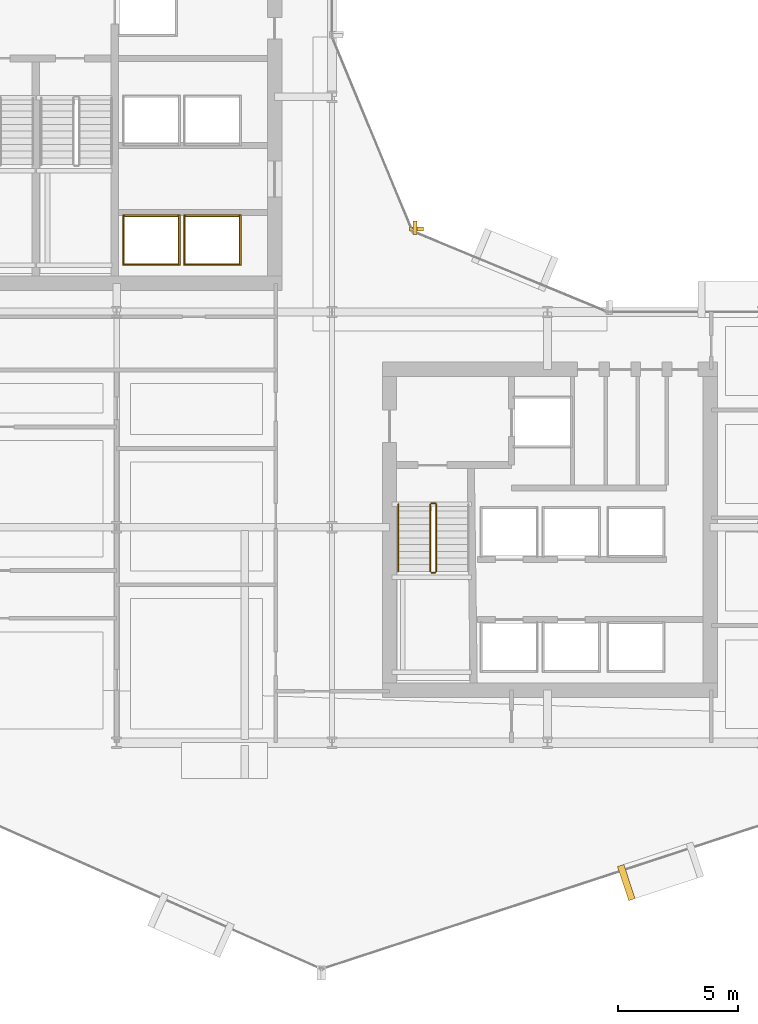
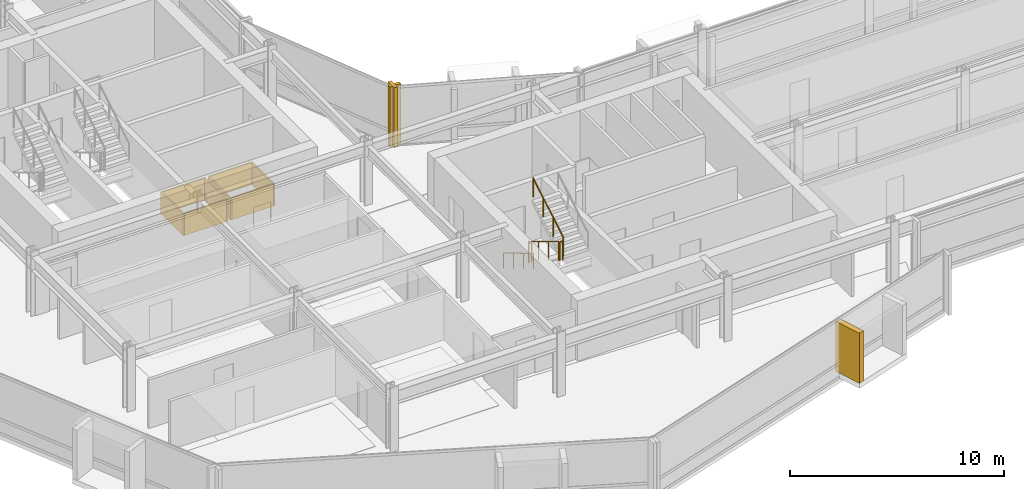
# One storey, part 31 of 34: 11 coverings, 5 railings.
"""IFC4 building model written with IfcOpenShell, lengths in metres."""

from ifc_helpers import new_model, si_unit, direction, frame, origin, origin_2d, place, context, subcontext, project, spatial, rectangle, circle, extrude, material, layer, layer_set, type_object, element, save


model = new_model("IFC4")

# Units and contexts
model_context = context("Model", 3, precision=1e-05, world=origin(), true_north=direction((0.0, 1.0)))
body_context = subcontext(model_context, "Body", "Model", "MODEL_VIEW")
ifc_project = project(units=[si_unit("LENGTHUNIT", "METRE"), si_unit("AREAUNIT", "SQUARE_METRE"), si_unit("VOLUMEUNIT", "CUBIC_METRE"), si_unit("PLANEANGLEUNIT", "RADIAN"), si_unit("MASSUNIT", "GRAM", prefix="KILO")], contexts=[model_context])

# Site, building, storey
site_placement = place(None, origin())
site = spatial("IfcSite", under=ifc_project, at=site_placement, CompositionType="ELEMENT")
building_placement = place(site_placement, origin())
building = spatial("IfcBuilding", under=site, at=building_placement, Name="Solvaryn Broadcast Tower", CompositionType="ELEMENT")
storey_placement = place(building_placement, frame((0.0, 0.0, 89.10009765625)))
storey = spatial("IfcBuildingStorey", under=building, at=storey_placement, Name="L21", CompositionType="ELEMENT", Elevation=89.10009765625)

# Coverings
ifc_material_1 = material(Name="Fire-Rated Gypsum Shaftwall Liner", Category="concrete")
ifc_layer_1 = layer(ifc_material_1, 0.080078125)
ifc_layer_set_1 = layer_set([ifc_layer_1], Name="CV-SHAFT-LINER")
covering_type_1 = type_object("IfcCoveringType", Name="CV-SHAFT-LINER", PredefinedType="CLADDING", material=ifc_layer_set_1)
for number, where, z_axis, x_axis, name in (
    (1, (19.449951171875, 31.014892578125, 0.0), (0.0, 0.0, 1.0), (1.0, 0.0, 0.0), "L21 PH1 Hoistway Shaft Liner North"),
    (2, (19.449951171875, 28.985107421875, 0.0), (0.0, 0.0, 1.0), (1.0, 0.0, 0.0), "L21 PH1 Hoistway Shaft Liner South"),
):
    element("IfcCovering", number, at=place(storey_placement, frame(where, z_axis=z_axis, x_axis=x_axis)), inside=storey, type_object=covering_type_1, Name=name, PredefinedType="CLADDING", context=body_context, shape_type="SweptSolid", body=[
        extrude(rectangle(XDim=2.409912109375, YDim=0.080078125, at=origin_2d()), origin(), (0.0, 0.0, 1.0), 1.25),
    ])
for number, where, z_axis, x_axis, name in (
    (3, (20.614990234375, 30.0, 0.0), (0.0, 0.0, 1.0), (1.0, 0.0, 0.0), "L21 PH1 Hoistway Shaft Liner East"),
    (4, (18.284912109375, 30.0, 0.0), (0.0, 0.0, 1.0), (1.0, 0.0, 0.0), "L21 PH1 Hoistway Shaft Liner West"),
):
    element("IfcCovering", number, at=place(storey_placement, frame(where, z_axis=z_axis, x_axis=x_axis)), inside=storey, type_object=covering_type_1, Name=name, PredefinedType="CLADDING", context=body_context, shape_type="SweptSolid", body=[
        extrude(rectangle(XDim=0.080078125, YDim=2.110107421875, at=origin_2d()), origin(), (0.0, 0.0, 1.0), 1.25),
    ])
for number, where, z_axis, x_axis, name in (
    (5, (22.0, 31.014892578125, 0.0), (0.0, 0.0, 1.0), (1.0, 0.0, 0.0), "L21 PH2 Hoistway Shaft Liner North"),
    (6, (22.0, 28.985107421875, 0.0), (0.0, 0.0, 1.0), (1.0, 0.0, 0.0), "L21 PH2 Hoistway Shaft Liner South"),
):
    element("IfcCovering", number, at=place(storey_placement, frame(where, z_axis=z_axis, x_axis=x_axis)), inside=storey, type_object=covering_type_1, Name=name, PredefinedType="CLADDING", context=body_context, shape_type="SweptSolid", body=[
        extrude(rectangle(XDim=2.409912109375, YDim=0.080078125, at=origin_2d()), origin(), (0.0, 0.0, 1.0), 1.25),
    ])
for number, where, z_axis, x_axis, name in (
    (7, (23.1650390625, 30.0, 0.0), (0.0, 0.0, 1.0), (1.0, 0.0, 0.0), "L21 PH2 Hoistway Shaft Liner East"),
    (8, (20.8349609375, 30.0, 0.0), (0.0, 0.0, 1.0), (1.0, 0.0, 0.0), "L21 PH2 Hoistway Shaft Liner West"),
):
    element("IfcCovering", number, at=place(storey_placement, frame(where, z_axis=z_axis, x_axis=x_axis)), inside=storey, type_object=covering_type_1, Name=name, PredefinedType="CLADDING", context=body_context, shape_type="SweptSolid", body=[
        extrude(rectangle(XDim=0.080078125, YDim=2.110107421875, at=origin_2d()), origin(), (0.0, 0.0, 1.0), 1.25),
    ])
ifc_material_2 = material(Name="Glazed Architectural Terracotta Rainscreen Cladding", Category="masonry")
ifc_layer_2 = layer(ifc_material_2, 0.280029296875)
ifc_layer_set_2 = layer_set([ifc_layer_2], Name="CV-TC-CLAD")
covering_type_2 = type_object("IfcCoveringType", Name="CV-TC-CLAD", PredefinedType="CLADDING", material=ifc_layer_set_2)
covering_1_placement = place(storey_placement, frame((39.298095703125, 3.155517578125, 0.27978515625), z_axis=(0.0, 0.0, 1.0), x_axis=(0.950189870912, 0.311671636848, 0.0)))
element("IfcCovering", 9, at=covering_1_placement, inside=storey, type_object=covering_type_2, Name="L21 Projecting Stone Window Box Cheek 4-1", PredefinedType="CLADDING", context=body_context, shape_type="SweptSolid", body=[
    extrude(rectangle(XDim=0.280029296875, YDim=1.5, at=origin_2d()), origin(), (0.0, 0.0, 1.0), 2.860107421875),
])
ifc_material_3 = material(Name="Extruded Architectural Terracotta Fin", Category="masonry")
ifc_layer_3 = layer(ifc_material_3, 0.179931640625)
ifc_layer_set_3 = layer_set([ifc_layer_3], Name="CV-TC-FIN")
covering_type_3 = type_object("IfcCoveringType", Name="CV-TC-FIN", PredefinedType="USERDEFINED", material=ifc_layer_set_3)
covering_2_placement = place(storey_placement, frame((30.464599609375, 30.52294921875, 0.0), z_axis=(0.0, 0.0, 1.0), x_axis=(1.0, 0.0, 0.0)))
element("IfcCovering", 10, at=covering_2_placement, inside=storey, type_object=covering_type_3, Name="L21 Terracotta Vertical Fin FIN-L21-CN1-M01", ObjectType="FIN", PredefinedType="USERDEFINED", context=body_context, shape_type="SweptSolid", body=[
    extrude(rectangle(XDim=0.179931640625, YDim=0.580078125, at=origin_2d()), origin(), (0.0, 0.0, 1.0), 3.419921875),
])
covering_3_placement = place(storey_placement, frame((30.52294921875, 30.464599609375, 0.0), z_axis=(0.0, 0.0, 1.0), x_axis=(1.0, 0.0, 0.0)))
element("IfcCovering", 11, at=covering_3_placement, inside=storey, type_object=covering_type_3, Name="L21 Terracotta Vertical Fin FIN-L21-CN2-M00", ObjectType="FIN", PredefinedType="USERDEFINED", context=body_context, shape_type="SweptSolid", body=[
    extrude(rectangle(XDim=0.580078125, YDim=0.179931640625, at=origin_2d()), origin(), (0.0, 0.0, 1.0), 3.419921875),
])

# Railings
ifc_material_4 = material(Name="Painted Steel Stair Well Guard", Category="steel")
railing_type_1 = type_object("IfcRailingType", Name="RL-STAIR-GUARD", PredefinedType="BALUSTRADE", material=ifc_material_4)
railing_1_placement = place(storey_placement, frame((31.110107421875, 18.9599609375, 0.16796875)))
element("IfcRailing", 12, at=railing_1_placement, inside=storey, type_object=railing_type_1, Name="L21 ST3 stair guard 1", PredefinedType="BALUSTRADE", context=body_context, shape_type="SweptSolid", body=[
    extrude(circle(Radius=0.02392578125, at=origin_2d()), frame((0.0, 0.0, 1.076171875), z_axis=(0.0, -0.857242210791, 0.514913383045), x_axis=(1.0, 0.0, 0.0)), (0.0, 0.0, 1.0), 3.266357421875),
    extrude(circle(Radius=0.02099609375, at=origin_2d()), origin(), (0.0, 0.0, 1.0), 1.052001953125),
    extrude(circle(Radius=0.02099609375, at=origin_2d()), frame((0.0, -0.933349609375, 0.560546875)), (0.0, 0.0, 1.0), 1.052001953125),
    extrude(circle(Radius=0.02099609375, at=origin_2d()), frame((0.0, -1.86669921875, 1.121337890625)), (0.0, 0.0, 1.0), 1.052001953125),
    extrude(circle(Radius=0.02099609375, at=origin_2d()), frame((0.0, -2.800048828125, 1.681884765625)), (0.0, 0.0, 1.0), 1.052001953125),
])
railing_2_placement = place(storey_placement, frame((31.159912109375, 16.110107421875, 1.849853515625)))
element("IfcRailing", 13, at=railing_2_placement, inside=storey, type_object=railing_type_1, Name="L21 ST3 stair guard 2", PredefinedType="BALUSTRADE", context=body_context, shape_type="SweptSolid", body=[
    extrude(circle(Radius=0.02392578125, at=origin_2d()), frame((0.0, 0.0, 1.076171875), z_axis=(1.0, 0.0, 0.0), x_axis=(0.0, 1.0, 0.0)), (0.0, 0.0, 1.0), 0.150146484375),
    extrude(circle(Radius=0.02099609375, at=origin_2d()), origin(), (0.0, 0.0, 1.0), 1.052001953125),
    extrude(circle(Radius=0.02099609375, at=origin_2d()), frame((0.150146484375, 0.0, 0.0)), (0.0, 0.0, 1.0), 1.052001953125),
])
railing_3_placement = place(storey_placement, frame((31.360107421875, 16.159912109375, 2.01806640625)))
element("IfcRailing", 14, at=railing_3_placement, inside=storey, type_object=railing_type_1, Name="L21 ST3 stair guard 3", PredefinedType="BALUSTRADE", context=body_context, shape_type="SweptSolid", body=[
    extrude(circle(Radius=0.02392578125, at=origin_2d()), frame((0.0, 0.0, 1.076171875), z_axis=(0.0, 0.857242210791, 0.514913383045), x_axis=(-1.0, 0.0, 0.0)), (0.0, 0.0, 1.0), 3.266357421875),
    extrude(circle(Radius=0.02099609375, at=origin_2d()), origin(), (0.0, 0.0, 1.0), 1.052001953125),
    extrude(circle(Radius=0.02099609375, at=origin_2d()), frame((0.0, 0.933349609375, 0.560546875)), (0.0, 0.0, 1.0), 1.052001953125),
    extrude(circle(Radius=0.02099609375, at=origin_2d()), frame((0.0, 1.86669921875, 1.121337890625)), (0.0, 0.0, 1.0), 1.052001953125),
    extrude(circle(Radius=0.02099609375, at=origin_2d()), frame((0.0, 2.800048828125, 1.681884765625)), (0.0, 0.0, 1.0), 1.052001953125),
])
railing_4_placement = place(storey_placement, frame((31.159912109375, 19.010009765625, 0.0)))
element("IfcRailing", 15, at=railing_4_placement, inside=storey, type_object=railing_type_1, Name="L21 ST3 stair guard 4", PredefinedType="BALUSTRADE", context=body_context, shape_type="SweptSolid", body=[
    extrude(circle(Radius=0.02392578125, at=origin_2d()), frame((0.0, 0.0, 1.076171875), z_axis=(1.0, 0.0, 0.0), x_axis=(0.0, 1.0, 0.0)), (0.0, 0.0, 1.0), 0.150146484375),
    extrude(circle(Radius=0.02099609375, at=origin_2d()), origin(), (0.0, 0.0, 1.0), 1.052001953125),
    extrude(circle(Radius=0.02099609375, at=origin_2d()), frame((0.150146484375, 0.0, 0.0)), (0.0, 0.0, 1.0), 1.052001953125),
])
ifc_material_5 = material(Name="Brushed Stainless Steel Tubular Handrail", Category="steel")
railing_type_2 = type_object("IfcRailingType", Name="RL-STAIR-HANDRAIL", PredefinedType="HANDRAIL", material=ifc_material_5)
railing_5_placement = place(storey_placement, frame((29.77001953125, 18.9599609375, 0.16796875)))
element("IfcRailing", 16, at=railing_5_placement, inside=storey, type_object=railing_type_2, Name="L21 ST3 stair handrail 1", PredefinedType="HANDRAIL", context=body_context, shape_type="SweptSolid", body=[
    extrude(circle(Radius=0.02392578125, at=origin_2d()), frame((0.0, 0.0, 0.8759765625), z_axis=(0.0, -0.857242210791, 0.514913383045), x_axis=(1.0, 0.0, 0.0)), (0.0, 0.0, 1.0), 3.266357421875),
    extrude(circle(Radius=0.02099609375, at=origin_2d()), origin(), (0.0, 0.0, 1.0), 0.851806640625),
    extrude(circle(Radius=0.02099609375, at=origin_2d()), frame((0.0, -0.933349609375, 0.560546875)), (0.0, 0.0, 1.0), 0.851806640625),
    extrude(circle(Radius=0.02099609375, at=origin_2d()), frame((0.0, -1.86669921875, 1.121337890625)), (0.0, 0.0, 1.0), 0.851806640625),
    extrude(circle(Radius=0.02099609375, at=origin_2d()), frame((0.0, -2.800048828125, 1.681884765625)), (0.0, 0.0, 1.0), 0.851806640625),
])

save(model, "model.ifc")
